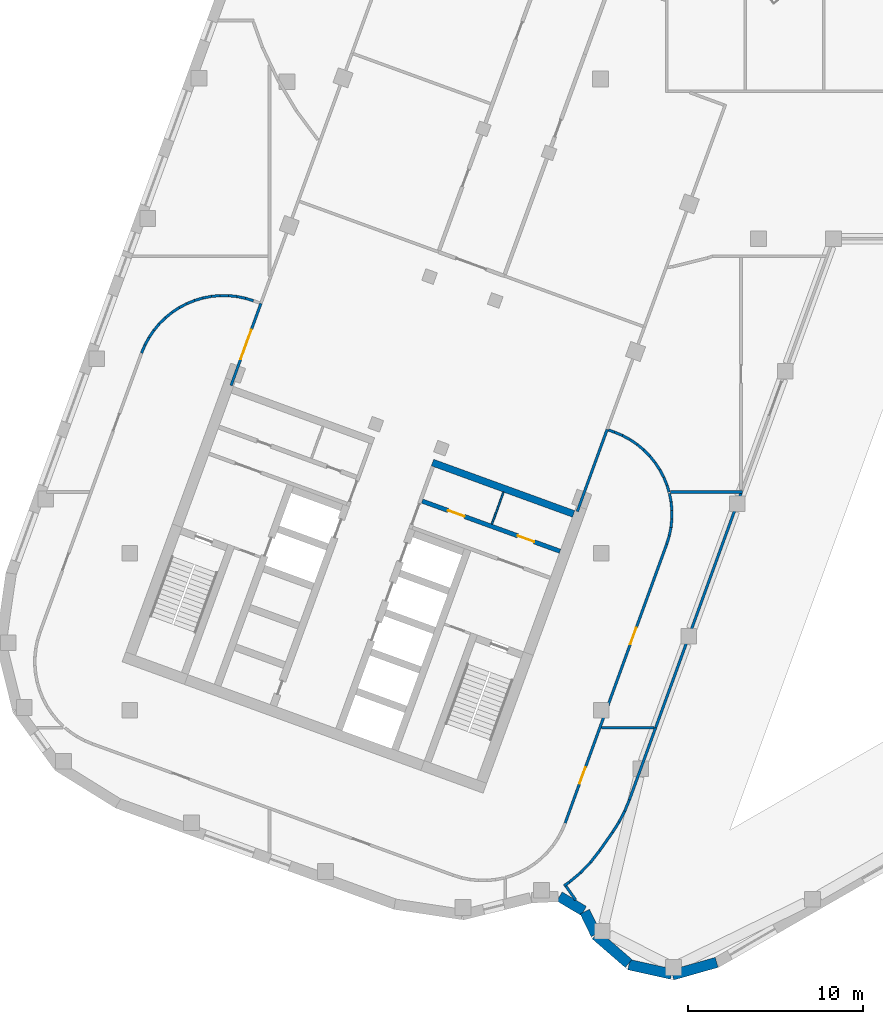
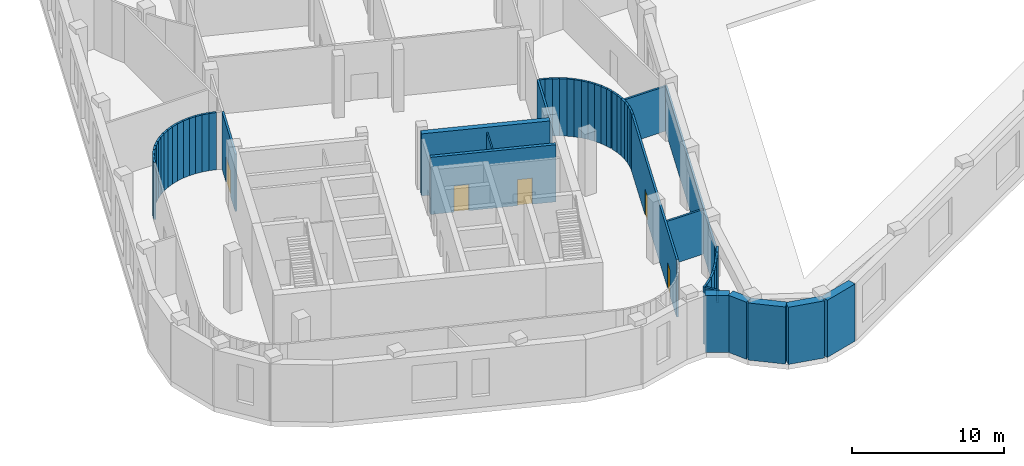
# One storey, part 5 of 20: 57 walls, 5 doors, 5 openings.
"""IFC4 building model written with IfcOpenShell, lengths in metres."""

from ifc_helpers import new_model, si_unit, direction, frame, frame_2d, origin, place, context, subcontext, project, spatial, rectangle, extrude, material, layer, layer_set, type_object, element, fill, save


model = new_model("IFC4")

# Units and contexts
model_context = context("Model", 3, precision=1e-05, world=origin(), true_north=direction((0.0, 1.0)))
body_context = subcontext(model_context, "Body", "Model", "MODEL_VIEW")
ifc_project = project(units=[si_unit("LENGTHUNIT", "METRE"), si_unit("AREAUNIT", "SQUARE_METRE"), si_unit("VOLUMEUNIT", "CUBIC_METRE"), si_unit("PLANEANGLEUNIT", "RADIAN"), si_unit("MASSUNIT", "GRAM", prefix="KILO")], contexts=[model_context])

# Site, building, storey
site_placement = place(None, origin())
site = spatial("IfcSite", under=ifc_project, at=site_placement, CompositionType="ELEMENT")
building_placement = place(site_placement, origin())
building = spatial("IfcBuilding", under=site, at=building_placement, Name="Skarvind Civic Tower", CompositionType="ELEMENT")
storey_placement = place(building_placement, frame((0.0, 0.0, 17.5)))
storey = spatial("IfcBuildingStorey", under=building, at=storey_placement, Name="L03", CompositionType="ELEMENT", Elevation=17.5)

# Walls
ifc_material_1 = material(Name="Fire-rated plasterboard partition")
ifc_layer_1 = layer(ifc_material_1, 0.10009765625)
ifc_layer_set_1 = layer_set([ifc_layer_1], Name="Core partition wall 100")
wall_type_1 = type_object("IfcWallType", Name="Core partition wall 100", PredefinedType="PARTITIONING", material=ifc_layer_set_1)
wall_1_placement = place(storey_placement, frame((40.402587890625, 94.49365234375, 0.0), z_axis=(0.0, 0.0, 1.0), x_axis=(-0.342064742067, -0.939676386973, 0.0)))
element("IfcWall", 1, at=wall_1_placement, inside=storey, type_object=wall_type_1, Name="Core wall C2", PredefinedType="PARTITIONING", context=body_context, shape_type="SweptSolid", body=[
    extrude(rectangle(XDim=1.949951171875, YDim=0.10009765625, at=frame_2d((0.97509765625, 0.0))), origin(), (0.0, 0.0, 1.0), 4.60009765625),
])
ifc_material_2 = material(Name="Concrete C80", Category="concrete")
ifc_layer_2 = layer(ifc_material_2, 0.39990234375)
ifc_layer_set_2 = layer_set([ifc_layer_2], Name="Core wall 400 C80")
wall_type_2 = type_object("IfcWallType", Name="Core wall 400 C80", PredefinedType="SHEAR", material=ifc_layer_set_2)
wall_2_placement = place(storey_placement, frame((44.417724609375, 93.2451171875, 0.0), z_axis=(0.0, 0.0, 1.0), x_axis=(-0.93969060187, 0.342025690201, 0.0)))
element("IfcWall", 2, at=wall_2_placement, inside=storey, type_object=wall_type_2, Name="Core wall C2 south inner face L03", PredefinedType="SHEAR", context=body_context, shape_type="SweptSolid", body=[
    extrude(rectangle(XDim=8.599853515625, YDim=0.39990234375, at=frame_2d((4.2998046875, 0.0))), origin(), (0.0, 0.0, 1.0), 5.0),
])
ifc_material_3 = material(Name="Plasterboard partition on steel studs", Category="steel")
ifc_layer_3 = layer(ifc_material_3, 0.14990234375)
ifc_layer_set_3 = layer_set([ifc_layer_3], Name="PARTITION 150")
wall_type_3 = type_object("IfcWallType", Name="PARTITION 150", PredefinedType="PARTITIONING", material=ifc_layer_set_3)
wall_3_placement = place(storey_placement, frame((19.677001953125, 102.4599609375, 0.0), z_axis=(0.0, 0.0, 1.0), x_axis=(0.386429931229, 0.922318767157, 0.0)))
element("IfcWall", 3, at=wall_3_placement, inside=storey, type_object=wall_type_3, Name="Podium partition L03 023", PredefinedType="PARTITIONING", context=body_context, shape_type="SweptSolid", body=[
    extrude(rectangle(XDim=0.49658203125, YDim=0.14990234375, at=frame_2d((0.248291015625, 0.0))), origin(), (0.0, 0.0, 1.0), 4.60009765625),
])
wall_4_placement = place(storey_placement, frame((19.865966796875, 102.912109375, 0.0), z_axis=(0.0, 0.0, 1.0), x_axis=(0.478336447807, 0.878176658025, 0.0)))
element("IfcWall", 4, at=wall_4_placement, inside=storey, type_object=wall_type_3, Name="Podium partition L03 024", PredefinedType="PARTITIONING", context=body_context, shape_type="SweptSolid", body=[
    extrude(rectangle(XDim=0.49755859375, YDim=0.14990234375, at=frame_2d((0.248779296875, 0.0))), origin(), (0.0, 0.0, 1.0), 4.60009765625),
])
wall_5_placement = place(storey_placement, frame((20.10009765625, 103.343017578125, 0.0), z_axis=(0.0, 0.0, 1.0), x_axis=(0.559439200494, 0.828871389874, 0.0)))
element("IfcWall", 5, at=wall_5_placement, inside=storey, type_object=wall_type_3, Name="Podium partition L03 025", PredefinedType="PARTITIONING", context=body_context, shape_type="SweptSolid", body=[
    extrude(rectangle(XDim=0.498291015625, YDim=0.14990234375, at=frame_2d((0.2490234375, 0.0))), origin(), (0.0, 0.0, 1.0), 4.60009765625),
])
wall_6_placement = place(storey_placement, frame((20.375, 103.75, 0.0), z_axis=(0.0, 0.0, 1.0), x_axis=(0.637426997618, 0.77051075444, 0.0)))
element("IfcWall", 6, at=wall_6_placement, inside=storey, type_object=wall_type_3, Name="Podium partition L03 026", PredefinedType="PARTITIONING", context=body_context, shape_type="SweptSolid", body=[
    extrude(rectangle(XDim=0.4970703125, YDim=0.14990234375, at=frame_2d((0.24853515625, 0.0))), origin(), (0.0, 0.0, 1.0), 4.60009765625),
])
wall_7_placement = place(storey_placement, frame((20.68701171875, 104.126953125, 0.0), z_axis=(0.0, 0.0, 1.0), x_axis=(0.711007970504, 0.703183948821, 0.0)))
element("IfcWall", 7, at=wall_7_placement, inside=storey, type_object=wall_type_3, Name="Podium partition L03 027", PredefinedType="PARTITIONING", context=body_context, shape_type="SweptSolid", body=[
    extrude(rectangle(XDim=0.499267578125, YDim=0.14990234375, at=frame_2d((0.24951171875, 0.0))), origin(), (0.0, 0.0, 1.0), 4.60009765625),
])
wall_8_placement = place(storey_placement, frame((21.035888671875, 104.472900390625, 0.0), z_axis=(0.0, 0.0, 1.0), x_axis=(0.77650322697, 0.630113274345, 0.0)))
element("IfcWall", 8, at=wall_8_placement, inside=storey, type_object=wall_type_3, Name="Podium partition L03 028", PredefinedType="PARTITIONING", context=body_context, shape_type="SweptSolid", body=[
    extrude(rectangle(XDim=0.49853515625, YDim=0.14990234375, at=frame_2d((0.249267578125, 0.0))), origin(), (0.0, 0.0, 1.0), 4.60009765625),
])
for number, where, z_axis, x_axis, name in (
    (9, (21.4169921875, 104.782958984375, 0.0), (0.0, 0.0, 1.0), (0.835203810699, 0.549940537326, 0.0), "Podium partition L03 029"),
    (10, (21.826904296875, 105.052978515625, 0.0), (0.0, 0.0, 1.0), (0.883895214997, 0.467684988967, 0.0), "Podium partition L03 030"),
):
    element("IfcWall", number, at=place(storey_placement, frame(where, z_axis=z_axis, x_axis=x_axis)), inside=storey, type_object=wall_type_3, Name=name, PredefinedType="PARTITIONING", context=body_context, shape_type="SweptSolid", body=[
        extrude(rectangle(XDim=0.498046875, YDim=0.14990234375, at=frame_2d((0.2490234375, 0.0))), origin(), (0.0, 0.0, 1.0), 4.60009765625),
    ])
wall_9_placement = place(storey_placement, frame((22.260986328125, 105.282958984375, 0.0), z_axis=(0.0, 0.0, 1.0), x_axis=(0.926359379867, 0.376640809436, 0.0)))
element("IfcWall", 11, at=wall_9_placement, inside=storey, type_object=wall_type_3, Name="Podium partition L03 031", PredefinedType="PARTITIONING", context=body_context, shape_type="SweptSolid", body=[
    extrude(rectangle(XDim=0.49658203125, YDim=0.14990234375, at=frame_2d((0.248291015625, 0.0))), origin(), (0.0, 0.0, 1.0), 4.60009765625),
])
wall_10_placement = place(storey_placement, frame((22.714111328125, 105.468017578125, 0.0), z_axis=(0.0, 0.0, 1.0), x_axis=(0.958511041414, 0.285055404243, 0.0)))
element("IfcWall", 12, at=wall_10_placement, inside=storey, type_object=wall_type_3, Name="Podium partition L03 032", PredefinedType="PARTITIONING", context=body_context, shape_type="SweptSolid", body=[
    extrude(rectangle(XDim=0.49853515625, YDim=0.14990234375, at=frame_2d((0.249267578125, 0.0))), origin(), (0.0, 0.0, 1.0), 4.60009765625),
])
wall_11_placement = place(storey_placement, frame((23.18408203125, 105.60791015625, 0.0), z_axis=(0.0, 0.0, 1.0), x_axis=(0.981729772821, 0.190280459207, 0.0)))
element("IfcWall", 13, at=wall_11_placement, inside=storey, type_object=wall_type_3, Name="Podium partition L03 033", PredefinedType="PARTITIONING", context=body_context, shape_type="SweptSolid", body=[
    extrude(rectangle(XDim=0.4990234375, YDim=0.14990234375, at=frame_2d((0.24951171875, 0.0))), origin(), (0.0, 0.0, 1.0), 4.60009765625),
])
wall_12_placement = place(storey_placement, frame((23.666015625, 105.701904296875, 0.0), z_axis=(0.0, 0.0, 1.0), x_axis=(0.995719029091, 0.092431678044, 0.0)))
element("IfcWall", 14, at=wall_12_placement, inside=storey, type_object=wall_type_3, Name="Podium partition L03 034", PredefinedType="PARTITIONING", context=body_context, shape_type="SweptSolid", body=[
    extrude(rectangle(XDim=0.499267578125, YDim=0.14990234375, at=frame_2d((0.24951171875, 0.0))), origin(), (0.0, 0.0, 1.0), 4.60009765625),
])
wall_13_placement = place(storey_placement, frame((24.155029296875, 105.748046875, 0.0), z_axis=(0.0, 0.0, 1.0), x_axis=(0.999982699411, -0.005882251173, 0.0)))
element("IfcWall", 15, at=wall_13_placement, inside=storey, type_object=wall_type_3, Name="Podium partition L03 036", PredefinedType="PARTITIONING", context=body_context, shape_type="SweptSolid", body=[
    extrude(rectangle(XDim=0.498046875, YDim=0.14990234375, at=frame_2d((0.2490234375, 0.0))), origin(), (0.0, 0.0, 1.0), 4.60009765625),
])
wall_14_placement = place(storey_placement, frame((24.64501953125, 105.7451171875, 0.0), z_axis=(0.0, 0.0, 1.0), x_axis=(0.994752095055, -0.102314560958, 0.0)))
element("IfcWall", 16, at=wall_14_placement, inside=storey, type_object=wall_type_3, Name="Podium partition L03 037", PredefinedType="PARTITIONING", context=body_context, shape_type="SweptSolid", body=[
    extrude(rectangle(XDim=0.498779296875, YDim=0.14990234375, at=frame_2d((0.24951171875, 0.0))), origin(), (0.0, 0.0, 1.0), 4.60009765625),
])

# Wall, opening, door
wall_15_placement = place(storey_placement, frame((24.800048828125, 100.597900390625, 0.0), z_axis=(0.0, 0.0, 1.0), x_axis=(0.34194689438, 0.939719277989, 0.0)))
wall_15 = element("IfcWall", 17, at=wall_15_placement, inside=storey, type_object=wall_type_3, Name="Podium partition L03 038", PredefinedType="PARTITIONING", context=body_context, shape_type="SweptSolid", body=[
    extrude(rectangle(XDim=5.000732421875, YDim=0.14990234375, at=frame_2d((2.50048828125, 0.0))), origin(), (0.0, 0.0, 1.0), 4.60009765625),
])
opening_1_placement = place(wall_15_placement, frame((1.60009765625, 0.0, 0.0)))
opening_1 = element("IfcOpeningElement", 18, at=opening_1_placement, cuts=wall_15, Name="Opening L03-D204", PredefinedType="OPENING", context=body_context, shape_type="SweptSolid", body=[
    extrude(rectangle(XDim=1.800048828125, YDim=2.10009765625, at=frame_2d((0.89990234375, 1.050048828125))), frame((0.0, 0.0849609375, 0.0), z_axis=(0.0, -1.0, 0.0), x_axis=(1.0, 0.0, 0.0)), (0.0, 0.0, 1.0), 0.169921875),
])
ifc_material_4 = material(Name="Timber veneer door leaf", Category="wood")
door_type_1 = type_object("IfcDoorType", Name="DOOR 1800X2100 DOUBLE TIMBER", OperationType="NOTDEFINED", PredefinedType="DOOR", material=ifc_material_4)
door_1_placement = place(opening_1_placement, origin())
door_1 = element("IfcDoor", 19, at=door_1_placement, inside=storey, type_object=door_type_1, Name="DOOR DOOR", OperationType="DOUBLE_DOOR_SINGLE_SWING", OverallHeight=2.10009765625, OverallWidth=1.800048828125, PredefinedType="DOOR", context=body_context, shape_type="SweptSolid", body=[
    extrude(rectangle(XDim=1.800048828125, YDim=2.10009765625, at=frame_2d((0.89990234375, 1.050048828125))), frame((0.0, 0.02490234375, 0.0), z_axis=(0.0, -1.0, 0.0), x_axis=(1.0, 0.0, 0.0)), (0.0, 0.0, 1.0), 0.050048828125),
])
fill(opening_1, door_1)

# Walls
wall_16_placement = place(storey_placement, frame((25.133056640625, 105.695068359375, 0.0), z_axis=(0.0, 0.0, 1.0), x_axis=(0.979686550711, -0.200534940485, 0.0)))
element("IfcWall", 20, at=wall_16_placement, inside=storey, type_object=wall_type_3, Name="Podium partition L03 039", PredefinedType="PARTITIONING", context=body_context, shape_type="SweptSolid", body=[
    extrude(rectangle(XDim=0.499267578125, YDim=0.14990234375, at=frame_2d((0.24951171875, 0.0))), origin(), (0.0, 0.0, 1.0), 4.60009765625),
])
wall_17_placement = place(storey_placement, frame((25.614013671875, 105.596923828125, 0.0), z_axis=(0.0, 0.0, 1.0), x_axis=(0.955332101268, -0.29553439104, 0.0)))
element("IfcWall", 21, at=wall_17_placement, inside=storey, type_object=wall_type_3, Name="Podium partition L03 040", PredefinedType="PARTITIONING", context=body_context, shape_type="SweptSolid", body=[
    extrude(rectangle(XDim=0.497314453125, YDim=0.14990234375, at=frame_2d((0.24853515625, 0.0))), origin(), (0.0, 0.0, 1.0), 4.60009765625),
])
wall_18_placement = place(storey_placement, frame((43.868896484375, 71.955078125, 0.0), z_axis=(0.0, 0.0, 1.0), x_axis=(0.829630253938, 0.558313211155, 0.0)))
element("IfcWall", 22, at=wall_18_placement, inside=storey, type_object=wall_type_3, Name="Podium partition L03 078", PredefinedType="PARTITIONING", context=body_context, shape_type="SweptSolid", body=[
    extrude(rectangle(XDim=0.358154296875, YDim=0.14990234375, at=frame_2d((0.17919921875, 0.0))), origin(), (0.0, 0.0, 1.0), 4.60009765625),
])
wall_19_placement = place(storey_placement, frame((43.97412109375, 71.93603515625, 0.0), z_axis=(0.0, 0.0, 1.0), x_axis=(0.573311311757, -0.819337622602, 0.0)))
element("IfcWall", 23, at=wall_19_placement, inside=storey, type_object=wall_type_3, Name="Podium partition L03 079", PredefinedType="PARTITIONING", context=body_context, shape_type="SweptSolid", body=[
    extrude(rectangle(XDim=0.9765625, YDim=0.14990234375, at=frame_2d((0.48828125, 0.0))), origin(), (0.0, 0.0, 1.0), 4.60009765625),
])

# Wall, openings, doors
wall_20_placement = place(storey_placement, frame((49.7490234375, 91.52001953125, 0.0), z_axis=(0.0, 0.0, 1.0), x_axis=(-0.342022021776, -0.939691937084, 0.0)))
wall_20 = element("IfcWall", 24, at=wall_20_placement, inside=storey, type_object=wall_type_3, Name="Podium partition L03 080", PredefinedType="PARTITIONING", context=body_context, shape_type="SweptSolid", body=[
    extrude(rectangle(XDim=17.00439453125, YDim=0.14990234375, at=frame_2d((8.502197265625, 0.0))), origin(), (0.0, 0.0, 1.0), 4.60009765625),
])
opening_2_placement = place(wall_20_placement, frame((13.596923828125, 0.0, 0.0)))
opening_2 = element("IfcOpeningElement", 25, at=opening_2_placement, cuts=wall_20, Name="Opening L03-D211", PredefinedType="OPENING", context=body_context, shape_type="SweptSolid", body=[
    extrude(rectangle(XDim=1.0, YDim=2.10009765625, at=frame_2d((0.5, 1.050048828125))), frame((0.0, 0.0849609375, 0.0), z_axis=(0.0, -1.0, 0.0), x_axis=(1.0, 0.0, 0.0)), (0.0, 0.0, 1.0), 0.169921875),
])
opening_3_placement = place(wall_20_placement, frame((5.10107421875, 0.0, 0.0)))
opening_3 = element("IfcOpeningElement", 26, at=opening_3_placement, cuts=wall_20, Name="Opening L03-D212", PredefinedType="OPENING", context=body_context, shape_type="SweptSolid", body=[
    extrude(rectangle(XDim=1.0, YDim=2.10009765625, at=frame_2d((0.5, 1.050048828125))), frame((0.0, 0.0849609375, 0.0), z_axis=(0.0, -1.0, 0.0), x_axis=(1.0, 0.0, 0.0)), (0.0, 0.0, 1.0), 0.169921875),
])
door_type_2 = type_object("IfcDoorType", Name="DOOR 1000X2100 TIMBER", OperationType="NOTDEFINED", PredefinedType="DOOR", material=ifc_material_4)
door_2_placement = place(opening_2_placement, origin())
door_2 = element("IfcDoor", 27, at=door_2_placement, inside=storey, type_object=door_type_2, Name="DOOR DOOR", OperationType="SINGLE_SWING_LEFT", OverallHeight=2.10009765625, OverallWidth=1.0, PredefinedType="DOOR", context=body_context, shape_type="SweptSolid", body=[
    extrude(rectangle(XDim=1.0, YDim=2.10009765625, at=frame_2d((0.5, 1.050048828125))), frame((0.0, 0.02490234375, 0.0), z_axis=(0.0, -1.0, 0.0), x_axis=(1.0, 0.0, 0.0)), (0.0, 0.0, 1.0), 0.050048828125),
])
fill(opening_2, door_2)
door_3_placement = place(opening_3_placement, origin())
door_3 = element("IfcDoor", 28, at=door_3_placement, inside=storey, type_object=door_type_2, Name="DOOR DOOR", OperationType="SINGLE_SWING_RIGHT", OverallHeight=2.10009765625, OverallWidth=1.0, PredefinedType="DOOR", context=body_context, shape_type="SweptSolid", body=[
    extrude(rectangle(XDim=1.0, YDim=2.10009765625, at=frame_2d((0.5, 1.050048828125))), frame((0.0, 0.02490234375, 0.0), z_axis=(0.0, -1.0, 0.0), x_axis=(1.0, 0.0, 0.0)), (0.0, 0.0, 1.0), 0.050048828125),
])
fill(opening_3, door_3)

# Walls
wall_21_placement = place(storey_placement, frame((44.159912109375, 72.14990234375, 0.0), z_axis=(0.0, 0.0, 1.0), x_axis=(0.76527802178, 0.643699890773, 0.0)))
element("IfcWall", 29, at=wall_21_placement, inside=storey, type_object=wall_type_3, Name="Podium partition L03 081", PredefinedType="PARTITIONING", context=body_context, shape_type="SweptSolid", body=[
    extrude(rectangle(XDim=0.845458984375, YDim=0.14990234375, at=frame_2d((0.4228515625, 0.0))), origin(), (0.0, 0.0, 1.0), 4.60009765625),
])
wall_22_placement = place(storey_placement, frame((44.626953125, 93.382080078125, 0.0), z_axis=(0.0, 0.0, 1.0), x_axis=(0.342025351501, 0.939690725149, 0.0)))
element("IfcWall", 30, at=wall_22_placement, inside=storey, type_object=wall_type_3, Name="Podium partition L03 082", PredefinedType="PARTITIONING", context=body_context, shape_type="SweptSolid", body=[
    extrude(rectangle(XDim=4.99951171875, YDim=0.14990234375, at=frame_2d((2.499755859375, 0.0))), origin(), (0.0, 0.0, 1.0), 4.60009765625),
])
wall_23_placement = place(storey_placement, frame((44.801025390625, 72.68798828125, 0.0), z_axis=(0.0, 0.0, 1.0), x_axis=(0.69445039199, 0.719540584724, 0.0)))
element("IfcWall", 31, at=wall_23_placement, inside=storey, type_object=wall_type_3, Name="Podium partition L03 083", PredefinedType="PARTITIONING", context=body_context, shape_type="SweptSolid", body=[
    extrude(rectangle(XDim=0.846435546875, YDim=0.14990234375, at=frame_2d((0.42333984375, 0.0))), origin(), (0.0, 0.0, 1.0), 4.60009765625),
])
wall_24_placement = place(storey_placement, frame((45.384033203125, 73.291015625, 0.0), z_axis=(0.0, 0.0, 1.0), x_axis=(0.615262082459, 0.788322630582, 0.0)))
element("IfcWall", 32, at=wall_24_placement, inside=storey, type_object=wall_type_3, Name="Podium partition L03 085", PredefinedType="PARTITIONING", context=body_context, shape_type="SweptSolid", body=[
    extrude(rectangle(XDim=0.843505859375, YDim=0.14990234375, at=frame_2d((0.421875, 0.0))), origin(), (0.0, 0.0, 1.0), 4.60009765625),
])
wall_25_placement = place(storey_placement, frame((45.90087890625, 73.951904296875, 0.0), z_axis=(0.0, 0.0, 1.0), x_axis=(0.573335928465, 0.819320397117, 0.0)))
element("IfcWall", 33, at=wall_25_placement, inside=storey, type_object=wall_type_3, Name="Podium partition L03 086", PredefinedType="PARTITIONING", context=body_context, shape_type="SweptSolid", body=[
    extrude(rectangle(XDim=1.296142578125, YDim=0.14990234375, at=frame_2d((0.64794921875, 0.0))), origin(), (0.0, 0.0, 1.0), 4.60009765625),
])
wall_26_placement = place(storey_placement, frame((46.0, 81.0, 0.0), z_axis=(0.0, 0.0, 1.0), x_axis=(1.0, 0.0, 0.0)))
element("IfcWall", 34, at=wall_26_placement, inside=storey, type_object=wall_type_3, Name="Podium partition L03 087", PredefinedType="PARTITIONING", context=body_context, shape_type="SweptSolid", body=[
    extrude(rectangle(XDim=3.032958984375, YDim=0.14990234375, at=frame_2d((1.5166015625, 0.0))), origin(), (0.0, 0.0, 1.0), 3.60009765625),
])
wall_27_placement = place(storey_placement, frame((46.406982421875, 98.053955078125, 0.0), z_axis=(0.0, 0.0, 1.0), x_axis=(0.939944328342, -0.341327789109, 0.0)))
element("IfcWall", 35, at=wall_27_placement, inside=storey, type_object=wall_type_3, Name="Podium partition L03 088", PredefinedType="PARTITIONING", context=body_context, shape_type="SweptSolid", body=[
    extrude(rectangle(XDim=0.377685546875, YDim=0.14990234375, at=frame_2d((0.18896484375, 0.0))), origin(), (0.0, 0.0, 1.0), 4.60009765625),
])
wall_28_placement = place(storey_placement, frame((46.64404296875, 75.013916015625, 0.0), z_axis=(0.0, 0.0, 1.0), x_axis=(0.537708998539, 0.843130495766, 0.0)))
element("IfcWall", 36, at=wall_28_placement, inside=storey, type_object=wall_type_3, Name="Podium partition L03 091", PredefinedType="PARTITIONING", context=body_context, shape_type="SweptSolid", body=[
    extrude(rectangle(XDim=0.700927734375, YDim=0.14990234375, at=frame_2d((0.3505859375, 0.0))), origin(), (0.0, 0.0, 1.0), 4.60009765625),
])
wall_29_placement = place(storey_placement, frame((46.758056640625, 97.927001953125, 0.0), z_axis=(0.0, 0.0, 1.0), x_axis=(0.922024303007, -0.387131999019, 0.0)))
element("IfcWall", 37, at=wall_29_placement, inside=storey, type_object=wall_type_3, Name="Podium partition L03 092", PredefinedType="PARTITIONING", context=body_context, shape_type="SweptSolid", body=[
    extrude(rectangle(XDim=0.49560546875, YDim=0.14990234375, at=frame_2d((0.247802734375, 0.0))), origin(), (0.0, 0.0, 1.0), 4.60009765625),
])
wall_30_placement = place(storey_placement, frame((47.01708984375, 75.59912109375, 0.0), z_axis=(0.0, 0.0, 1.0), x_axis=(0.462388443715, 0.886677465101, 0.0)))
element("IfcWall", 38, at=wall_30_placement, inside=storey, type_object=wall_type_3, Name="Podium partition L03 093", PredefinedType="PARTITIONING", context=body_context, shape_type="SweptSolid", body=[
    extrude(rectangle(XDim=0.704833984375, YDim=0.14990234375, at=frame_2d((0.3525390625, 0.0))), origin(), (0.0, 0.0, 1.0), 3.60009765625),
])
wall_31_placement = place(storey_placement, frame((47.208984375, 97.738037109375, 0.0), z_axis=(0.0, 0.0, 1.0), x_axis=(0.878624509573, -0.47751332042, 0.0)))
element("IfcWall", 39, at=wall_31_placement, inside=storey, type_object=wall_type_3, Name="Podium partition L03 094", PredefinedType="PARTITIONING", context=body_context, shape_type="SweptSolid", body=[
    extrude(rectangle(XDim=0.49853515625, YDim=0.14990234375, at=frame_2d((0.249267578125, 0.0))), origin(), (0.0, 0.0, 1.0), 4.60009765625),
])
wall_32_placement = place(storey_placement, frame((47.340087890625, 76.218017578125, 0.0), z_axis=(0.0, 0.0, 1.0), x_axis=(0.381992942343, 0.924165240636, 0.0)))
element("IfcWall", 40, at=wall_32_placement, inside=storey, type_object=wall_type_3, Name="Podium partition L03 095", PredefinedType="PARTITIONING", context=body_context, shape_type="SweptSolid", body=[
    extrude(rectangle(XDim=0.701171875, YDim=0.14990234375, at=frame_2d((0.3505859375, 0.0))), origin(), (0.0, 0.0, 1.0), 3.60009765625),
])
wall_33_placement = place(storey_placement, frame((47.60791015625, 76.865966796875, 0.0), z_axis=(0.0, 0.0, 1.0), x_axis=(0.342112853329, 0.939658871925, 0.0)))
element("IfcWall", 41, at=wall_33_placement, inside=storey, type_object=wall_type_3, Name="Podium partition L03 096", PredefinedType="PARTITIONING", context=body_context, shape_type="SweptSolid", body=[
    extrude(rectangle(XDim=4.3994140625, YDim=0.14990234375, at=frame_2d((2.19970703125, 0.0))), origin(), (0.0, 0.0, 1.0), 3.60009765625),
])
wall_34_placement = place(storey_placement, frame((47.64111328125, 97.50390625, 0.0), z_axis=(0.0, 0.0, 1.0), x_axis=(0.829013848944, -0.559228073561, 0.0)))
element("IfcWall", 42, at=wall_34_placement, inside=storey, type_object=wall_type_3, Name="Podium partition L03 097", PredefinedType="PARTITIONING", context=body_context, shape_type="SweptSolid", body=[
    extrude(rectangle(XDim=0.496826171875, YDim=0.14990234375, at=frame_2d((0.24853515625, 0.0))), origin(), (0.0, 0.0, 1.0), 4.60009765625),
])
wall_35_placement = place(storey_placement, frame((48.047119140625, 97.22998046875, 0.0), z_axis=(0.0, 0.0, 1.0), x_axis=(0.770145329221, -0.637868459699, 0.0)))
element("IfcWall", 43, at=wall_35_placement, inside=storey, type_object=wall_type_3, Name="Podium partition L03 098", PredefinedType="PARTITIONING", context=body_context, shape_type="SweptSolid", body=[
    extrude(rectangle(XDim=0.498291015625, YDim=0.14990234375, at=frame_2d((0.2490234375, 0.0))), origin(), (0.0, 0.0, 1.0), 4.60009765625),
])
wall_36_placement = place(storey_placement, frame((48.425048828125, 96.9169921875, 0.0), z_axis=(0.0, 0.0, 1.0), x_axis=(0.702936615275, -0.711252497293, 0.0)))
element("IfcWall", 44, at=wall_36_placement, inside=storey, type_object=wall_type_3, Name="Podium partition L03 099", PredefinedType="PARTITIONING", context=body_context, shape_type="SweptSolid", body=[
    extrude(rectangle(XDim=0.4990234375, YDim=0.14990234375, at=frame_2d((0.24951171875, 0.0))), origin(), (0.0, 0.0, 1.0), 4.60009765625),
])
for number, where, z_axis, x_axis, name in (
    (45, (48.77099609375, 96.568115234375, 0.0), (0.0, 0.0, 1.0), (0.62863381992, -0.777701434004, 0.0), "Podium partition L03 101"),
    (46, (49.080078125, 96.18701171875, 0.0), (0.0, 0.0, 1.0), (0.552207910721, -0.833706437145, 0.0), "Podium partition L03 102"),
):
    element("IfcWall", number, at=place(storey_placement, frame(where, z_axis=z_axis, x_axis=x_axis)), inside=storey, type_object=wall_type_3, Name=name, PredefinedType="PARTITIONING", context=body_context, shape_type="SweptSolid", body=[
        extrude(rectangle(XDim=0.497802734375, YDim=0.14990234375, at=frame_2d((0.2490234375, 0.0))), origin(), (0.0, 0.0, 1.0), 4.60009765625),
    ])
wall_37_placement = place(storey_placement, frame((49.113037109375, 81.0, 0.0), z_axis=(0.0, 0.0, 1.0), x_axis=(0.341994090833, 0.939702102709, 0.0)))
element("IfcWall", 47, at=wall_37_placement, inside=storey, type_object=wall_type_3, Name="Podium partition L03 103", PredefinedType="PARTITIONING", context=body_context, shape_type="SweptSolid", body=[
    extrude(rectangle(XDim=14.28955078125, YDim=0.14990234375, at=frame_2d((7.144775390625, 0.0))), origin(), (0.0, 0.0, 1.0), 3.60009765625),
])
wall_38_placement = place(storey_placement, frame((49.35107421875, 95.778076171875, 0.0), z_axis=(0.0, 0.0, 1.0), x_axis=(0.46615085347, -0.884705251374, 0.0)))
element("IfcWall", 48, at=wall_38_placement, inside=storey, type_object=wall_type_3, Name="Podium partition L03 104", PredefinedType="PARTITIONING", context=body_context, shape_type="SweptSolid", body=[
    extrude(rectangle(XDim=0.49755859375, YDim=0.14990234375, at=frame_2d((0.248779296875, 0.0))), origin(), (0.0, 0.0, 1.0), 4.60009765625),
])
wall_39_placement = place(storey_placement, frame((49.580078125, 95.343994140625, 0.0), z_axis=(0.0, 0.0, 1.0), x_axis=(0.378326719955, -0.925672130383, 0.0)))
element("IfcWall", 49, at=wall_39_placement, inside=storey, type_object=wall_type_3, Name="Podium partition L03 105", PredefinedType="PARTITIONING", context=body_context, shape_type="SweptSolid", body=[
    extrude(rectangle(XDim=0.496826171875, YDim=0.14990234375, at=frame_2d((0.24853515625, 0.0))), origin(), (0.0, 0.0, 1.0), 4.60009765625),
])
wall_40_placement = place(storey_placement, frame((49.7470703125, 91.51611328125, 0.0), z_axis=(0.0, 0.0, 1.0), x_axis=(0.296228958727, 0.955116958289, 0.0)))
element("IfcWall", 50, at=wall_40_placement, inside=storey, type_object=wall_type_3, Name="Podium partition L03 107", PredefinedType="PARTITIONING", context=body_context, shape_type="SweptSolid", body=[
    extrude(rectangle(XDim=0.49609375, YDim=0.14990234375, at=frame_2d((0.248046875, 0.0))), origin(), (0.0, 0.0, 1.0), 4.60009765625),
])
wall_41_placement = place(storey_placement, frame((49.76611328125, 94.89111328125, 0.0), z_axis=(0.0, 0.0, 1.0), x_axis=(0.284271713428, -0.958743757708, 0.0)))
element("IfcWall", 51, at=wall_41_placement, inside=storey, type_object=wall_type_3, Name="Podium partition L03 115", PredefinedType="PARTITIONING", context=body_context, shape_type="SweptSolid", body=[
    extrude(rectangle(XDim=0.407958984375, YDim=0.14990234375, at=frame_2d((0.2041015625, 0.0))), origin(), (0.0, 0.0, 1.0), 4.60009765625),
])
wall_42_placement = place(storey_placement, frame((49.9599609375, 94.5, 0.0), z_axis=(0.0, 0.0, 1.0), x_axis=(1.0, 0.0, 0.0)))
element("IfcWall", 52, at=wall_42_placement, inside=storey, type_object=wall_type_3, Name="Podium partition L03 117", PredefinedType="PARTITIONING", context=body_context, shape_type="SweptSolid", body=[
    extrude(rectangle(XDim=4.114990234375, YDim=0.14990234375, at=frame_2d((2.0576171875, 0.0))), origin(), (0.0, 0.0, 1.0), 3.60009765625),
])
wall_43_placement = place(storey_placement, frame((49.89208984375, 91.98291015625, 0.0), z_axis=(0.0, 0.0, 1.0), x_axis=(0.202330199798, 0.979317359312, 0.0)))
element("IfcWall", 53, at=wall_43_placement, inside=storey, type_object=wall_type_3, Name="Podium partition L03 118", PredefinedType="PARTITIONING", context=body_context, shape_type="SweptSolid", body=[
    extrude(rectangle(XDim=0.498291015625, YDim=0.14990234375, at=frame_2d((0.2490234375, 0.0))), origin(), (0.0, 0.0, 1.0), 4.60009765625),
])
wall_44_placement = place(storey_placement, frame((49.906005859375, 94.419921875, 0.0), z_axis=(0.0, 0.0, 1.0), x_axis=(0.190646652196, -0.981658725834, 0.0)))
element("IfcWall", 54, at=wall_44_placement, inside=storey, type_object=wall_type_3, Name="Podium partition L03 119", PredefinedType="PARTITIONING", context=body_context, shape_type="SweptSolid", body=[
    extrude(rectangle(XDim=0.498046875, YDim=0.14990234375, at=frame_2d((0.2490234375, 0.0))), origin(), (0.0, 0.0, 1.0), 4.60009765625),
])
wall_45_placement = place(storey_placement, frame((49.991943359375, 92.462890625, 0.0), z_axis=(0.0, 0.0, 1.0), x_axis=(0.102314560958, 0.994752095055, 0.0)))
element("IfcWall", 55, at=wall_45_placement, inside=storey, type_object=wall_type_3, Name="Podium partition L03 120", PredefinedType="PARTITIONING", context=body_context, shape_type="SweptSolid", body=[
    extrude(rectangle(XDim=0.498779296875, YDim=0.14990234375, at=frame_2d((0.24951171875, 0.0))), origin(), (0.0, 0.0, 1.0), 4.60009765625),
])
for number, where, z_axis, x_axis, name in (
    (56, (50.0, 93.93896484375, 0.0), (0.0, 0.0, 1.0), (0.090006472106, -0.995941180482, 0.0), "Podium partition L03 121"),
    (57, (50.04296875, 92.950927734375, 0.0), (0.0, 0.0, 1.0), (0.003913864348, 0.999992340804, 0.0), "Podium partition L03 122"),
):
    element("IfcWall", number, at=place(storey_placement, frame(where, z_axis=z_axis, x_axis=x_axis)), inside=storey, type_object=wall_type_3, Name=name, PredefinedType="PARTITIONING", context=body_context, shape_type="SweptSolid", body=[
        extrude(rectangle(XDim=0.4990234375, YDim=0.14990234375, at=frame_2d((0.24951171875, 0.0))), origin(), (0.0, 0.0, 1.0), 4.60009765625),
    ])

# Wall, openings, doors
ifc_material_5 = material(Name="Fire-rated masonry partition", Category="masonry")
ifc_layer_4 = layer(ifc_material_5, 0.25)
ifc_layer_set_4 = layer_set([ifc_layer_4], Name="Service block wall 250")
wall_type_4 = type_object("IfcWallType", Name="Service block wall 250", PredefinedType="PARTITIONING", material=ifc_layer_set_4)
wall_46_placement = place(storey_placement, frame((35.74609375, 93.98046875, 0.0), z_axis=(0.0, 0.0, 1.0), x_axis=(0.939691552312, -0.342023078919, 0.0)))
wall_46 = element("IfcWall", 58, at=wall_46_placement, inside=storey, type_object=wall_type_4, Name="Core wall C2", PredefinedType="PARTITIONING", context=body_context, shape_type="SweptSolid", body=[
    extrude(rectangle(XDim=8.400146484375, YDim=0.25, at=frame_2d((4.2001953125, 0.0))), origin(), (0.0, 0.0, 1.0), 4.60009765625),
])
opening_4_placement = place(wall_46_placement, frame((1.574951171875, 0.0, 0.0)))
opening_4 = element("IfcOpeningElement", 59, at=opening_4_placement, cuts=wall_46, Name="Opening D-L03-C2-16", PredefinedType="OPENING", context=body_context, shape_type="SweptSolid", body=[
    extrude(rectangle(XDim=1.0, YDim=2.10009765625, at=frame_2d((0.5, 1.050048828125))), frame((0.0, 0.135009765625, 0.0), z_axis=(0.0, -1.0, 0.0), x_axis=(1.0, 0.0, 0.0)), (0.0, 0.0, 1.0), 0.27001953125),
])
opening_5_placement = place(wall_46_placement, frame((5.824951171875, 0.0, 0.0)))
opening_5 = element("IfcOpeningElement", 60, at=opening_5_placement, cuts=wall_46, Name="Opening D-L03-C2-17", PredefinedType="OPENING", context=body_context, shape_type="SweptSolid", body=[
    extrude(rectangle(XDim=1.0, YDim=2.10009765625, at=frame_2d((0.5, 1.050048828125))), frame((0.0, 0.135009765625, 0.0), z_axis=(0.0, -1.0, 0.0), x_axis=(1.0, 0.0, 0.0)), (0.0, 0.0, 1.0), 0.27001953125),
])
ifc_material_6 = material(Name="Fire-rated steel door", Category="steel")
door_type_3 = type_object("IfcDoorType", Name="Fire door 1000", OperationType="NOTDEFINED", PredefinedType="DOOR", material=ifc_material_6)
door_4_placement = place(opening_4_placement, origin())
door_4 = element("IfcDoor", 61, at=door_4_placement, inside=storey, type_object=door_type_3, Name="Fire door", OperationType="SINGLE_SWING_RIGHT", OverallHeight=2.10009765625, OverallWidth=1.0, PredefinedType="DOOR", context=body_context, shape_type="SweptSolid", body=[
    extrude(rectangle(XDim=1.0, YDim=2.10009765625, at=frame_2d((0.5, 1.050048828125))), frame((0.0, 0.02490234375, 0.0), z_axis=(0.0, -1.0, 0.0), x_axis=(1.0, 0.0, 0.0)), (0.0, 0.0, 1.0), 0.050048828125),
])
fill(opening_4, door_4)
door_5_placement = place(opening_5_placement, origin())
door_5 = element("IfcDoor", 62, at=door_5_placement, inside=storey, type_object=door_type_3, Name="Fire door", OperationType="SINGLE_SWING_LEFT", OverallHeight=2.10009765625, OverallWidth=1.0, PredefinedType="DOOR", context=body_context, shape_type="SweptSolid", body=[
    extrude(rectangle(XDim=1.0, YDim=2.10009765625, at=frame_2d((0.5, 1.050048828125))), frame((0.0, 0.02490234375, 0.0), z_axis=(0.0, -1.0, 0.0), x_axis=(1.0, 0.0, 0.0)), (0.0, 0.0, 1.0), 0.050048828125),
])
fill(opening_5, door_5)

# Walls
ifc_material_7 = material(Name="Limestone masonry cladding on insulated backing", Category="masonry")
ifc_layer_5 = layer(ifc_material_7, 0.60009765625)
ifc_layer_set_5 = layer_set([ifc_layer_5], Name="WX1 STONE FACADE WALL 600")
wall_type_5 = type_object("IfcWallType", Name="WX1 STONE FACADE WALL 600", PredefinedType="SOLIDWALL", material=ifc_layer_set_5)
wall_47_placement = place(storey_placement, frame((44.998291015625, 70.511474609375, 0.0), z_axis=(0.0, 0.0, 1.0), x_axis=(-0.859405023985, 0.511295418275, 0.0)))
element("IfcWall", 63, at=wall_47_placement, inside=storey, type_object=wall_type_5, Name="STONE FACADE WALL", PredefinedType="SOLIDWALL", context=body_context, shape_type="SweptSolid", body=[
    extrude(rectangle(XDim=1.6171875, YDim=0.60009765625, at=frame_2d((0.80859375, 0.0))), origin(), (0.0, 0.0, 1.0), 4.60009765625),
])
wall_48_placement = place(storey_placement, frame((45.689208984375, 69.1728515625, 0.0), z_axis=(0.0, 0.0, 1.0), x_axis=(-0.435706421579, 0.900088836835, 0.0)))
element("IfcWall", 64, at=wall_48_placement, inside=storey, type_object=wall_type_5, Name="STONE FACADE WALL", PredefinedType="SOLIDWALL", context=body_context, shape_type="SweptSolid", body=[
    extrude(rectangle(XDim=1.447265625, YDim=0.60009765625, at=frame_2d((0.7236328125, 0.0))), origin(), (0.0, 0.0, 1.0), 4.60009765625),
])
for number, where, z_axis, x_axis, name in (
    (65, (47.568603515625, 67.498779296875, 0.0), (0.0, 0.0, 1.0), (-0.755885810724, 0.65470347574, 0.0), "STONE FACADE WALL"),
    (66, (50.026123046875, 66.8916015625, 0.0), (0.0, 0.0, 1.0), (-0.976143335466, 0.217127125495, 0.0), "STONE FACADE WALL"),
):
    element("IfcWall", number, at=place(storey_placement, frame(where, z_axis=z_axis, x_axis=x_axis)), inside=storey, type_object=wall_type_5, Name=name, PredefinedType="SOLIDWALL", context=body_context, shape_type="SweptSolid", body=[
        extrude(rectangle(XDim=2.497314453125, YDim=0.60009765625, at=frame_2d((1.24853515625, 0.0))), origin(), (0.0, 0.0, 1.0), 4.60009765625),
    ])
wall_49_placement = place(storey_placement, frame((52.61181640625, 67.563232421875, 0.0), z_axis=(0.0, 0.0, 1.0), x_axis=(-0.962094751735, -0.272715398693, 0.0)))
element("IfcWall", 67, at=wall_49_placement, inside=storey, type_object=wall_type_5, Name="STONE FACADE WALL", PredefinedType="SOLIDWALL", context=body_context, shape_type="SweptSolid", body=[
    extrude(rectangle(XDim=2.63720703125, YDim=0.60009765625, at=frame_2d((1.318603515625, 0.0))), origin(), (0.0, 0.0, 1.0), 4.60009765625),
])

save(model, "model.ifc")
